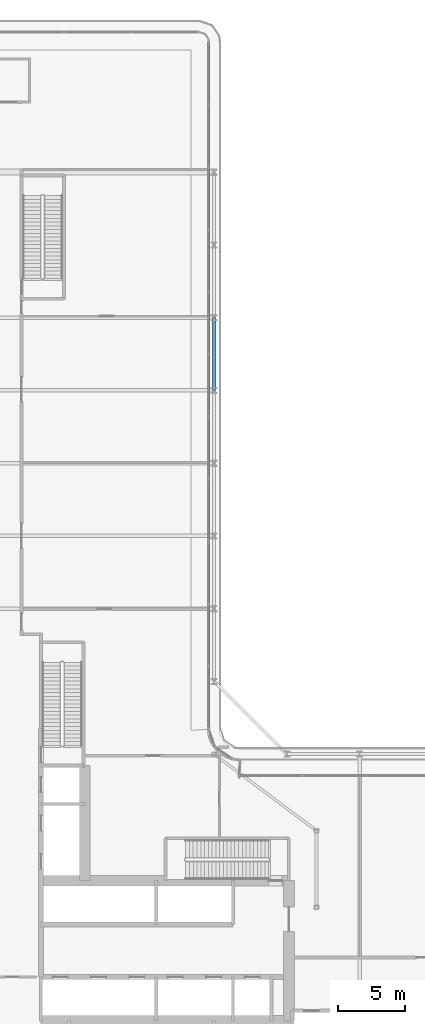
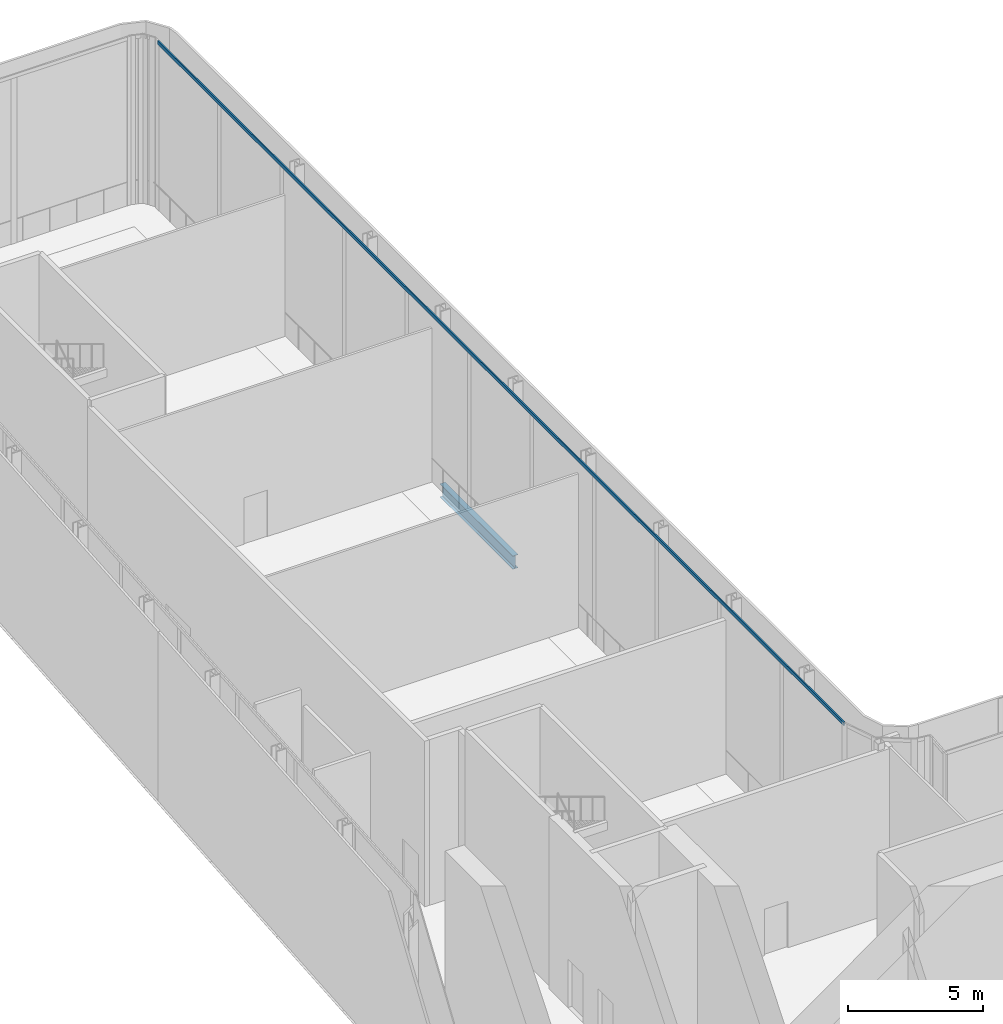
# One storey, part 15 of 37: 1 beam, 1 member, 1 element without a shape of its own.
"""IFC4 building model written with IfcOpenShell, lengths in metres."""

from ifc_helpers import new_model, si_unit, direction, frame, origin, origin_2d, place, context, subcontext, project, spatial, rectangle, i_section, extrude, material, layer, layer_set, material_profile, profile_set, type_object, element, aggregate, save


model = new_model("IFC4")

# Units and contexts
model_context = context("Model", 3, precision=1e-05, world=origin(), true_north=direction((0.0, 1.0)))
body_context = subcontext(model_context, "Body", "Model", "MODEL_VIEW")
ifc_project = project(units=[si_unit("LENGTHUNIT", "METRE"), si_unit("AREAUNIT", "SQUARE_METRE"), si_unit("VOLUMEUNIT", "CUBIC_METRE"), si_unit("PLANEANGLEUNIT", "RADIAN"), si_unit("MASSUNIT", "GRAM", prefix="KILO")], contexts=[model_context])

# Site, building, storey
site_placement = place(None, origin())
site = spatial("IfcSite", under=ifc_project, at=site_placement, CompositionType="ELEMENT")
building_placement = place(site_placement, origin())
building = spatial("IfcBuilding", under=site, at=building_placement, Name="Kheshtan School and Residences Tower", CompositionType="ELEMENT")
storey_placement = place(building_placement, frame((0.0, 0.0, 144.800048828125)))
storey = spatial("IfcBuildingStorey", under=building, at=storey_placement, Name="L34", CompositionType="ELEMENT", Elevation=144.800048828125)

# Beam
ifc_material_1 = material(Name="Steel ASTM A992 Grade 50", Category="steel")
ifc_material_profile_1 = material_profile(ifc_material_1, i_section(OverallWidth=0.22802734375, OverallDepth=0.60302734375, WebThickness=0.010498046875, FlangeThickness=0.014892578125, FilletRadius=0.013427734375, at=origin_2d()), Name="W610x101")
ifc_profile_set_1 = profile_set([ifc_material_profile_1], Name="Steel ASTM A992 Grade 50")
beam_type = type_object("IfcBeamType", Name="Beam SP2 W610x101 ASTM A992 Grade 50", PredefinedType="BEAM", material=ifc_profile_set_1)
beam_placement = place(storey_placement, frame((47.60009765625, 78.0, -0.45166015625), z_axis=(0.0, -1.0, 0.0), x_axis=(1.0, 0.0, 0.0)))
element("IfcBeam", 1, at=beam_placement, inside=storey, type_object=beam_type, Name="Spandrel beam C089-C087", PredefinedType="BEAM", context=body_context, shape_type="SweptSolid", body=[
    extrude(i_section(OverallWidth=0.22802734375, OverallDepth=0.60302734375, WebThickness=0.010498046875, FlangeThickness=0.014892578125, FilletRadius=0.013427734375, at=origin_2d()), origin(), (0.0, 0.0, 1.0), 5.39990234375),
])

# Curtain wall, member
ifc_material_2 = material(Name="Clear low-e glass in thermally broken aluminium frame", Category="aluminium")
ifc_layer = layer(ifc_material_2, 0.25)
ifc_layer_set = layer_set([ifc_layer], Name="Curtain wall CW-K")
curtain_wall_type = type_object("IfcCurtainWallType", Name="Curtain wall CW-K", PredefinedType="NOTDEFINED", material=ifc_layer_set)
curtain_wall_placement = place(storey_placement, origin())
curtain_wall = element("IfcCurtainWall", 2, at=curtain_wall_placement, inside=storey, type_object=curtain_wall_type, Name="Curtain wall CWK24", PredefinedType="NOTDEFINED")
ifc_material_3 = material(Name="Thermally broken aluminium, dark bronze anodised", Category="aluminium")
ifc_material_profile_2 = material_profile(ifc_material_3, rectangle(XDim=0.06005859375, YDim=0.159912109375, at=origin_2d()), Name="CW-K transom 60x160")
ifc_profile_set_2 = profile_set([ifc_material_profile_2], Name="Thermally broken aluminium, dark bronze anodised")
member_type = type_object("IfcMemberType", Name="CW-K transom 60x160", PredefinedType="USERDEFINED", material=ifc_profile_set_2)
member_placement = place(storey_placement, frame((47.199951171875, 98.409912109375, 7.570068359375), z_axis=(0.0, -1.0, 0.0), x_axis=(1.0, 0.0, 0.0)))
member = element("IfcMember", 3, at=member_placement, type_object=member_type, Name="CWK24 transom 1", ObjectType="TRANSOM", PredefinedType="USERDEFINED", context=body_context, shape_type="SweptSolid", body=[
    extrude(rectangle(XDim=0.06005859375, YDim=0.159912109375, at=origin_2d()), origin(), (0.0, 0.0, 1.0), 50.906494140625),
])
aggregate(curtain_wall, [member])

save(model, "model.ifc")
